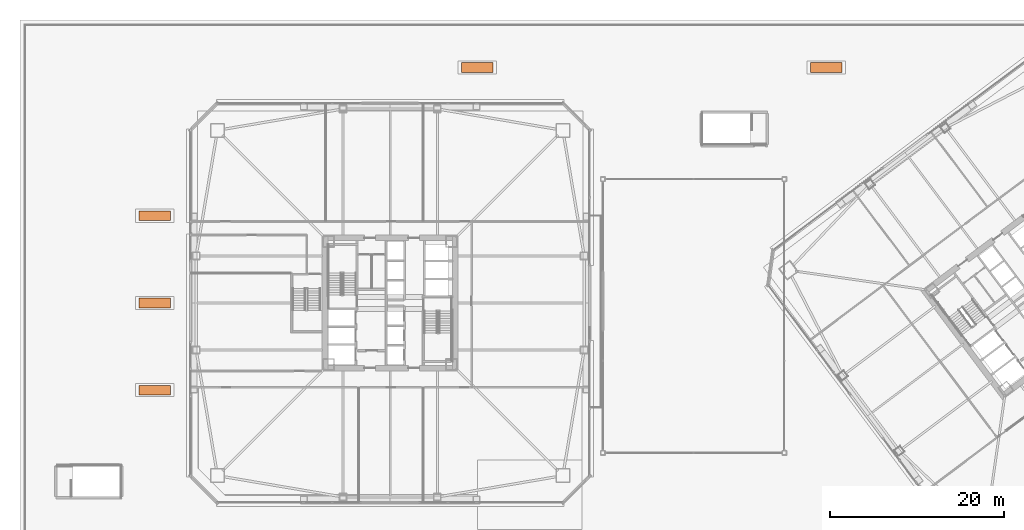
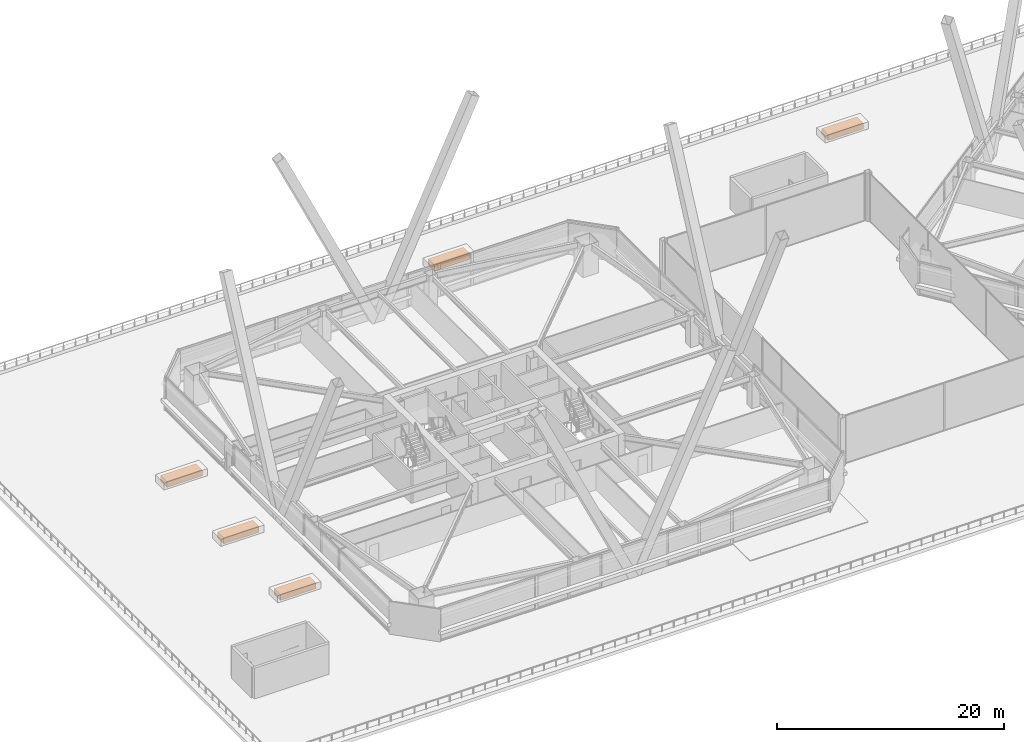
# One storey, part 83 of 83: 5 proxies.
"""IFC4 building model written with IfcOpenShell, lengths in metres."""

import ifcopenshell
import ifcopenshell.guid

model = None  # the IFC model being written
_history = None  # IfcOwnerHistory: only IFC2X3 demands one
_inside = {}  # id of a spatial element -> (the spatial element, [elements in it])
_under = {}  # id of a project, library or spatial element -> (it, [spatial elements below it])
_declared = {}  # id of a project -> (the project, [libraries it declares])
_typed = {}  # id of a type object -> (the type object, [elements of that type])
_made_of = {}  # id of a material, layer set ... -> (it, [elements and type objects made of it])


def new_model(schema):
    """Start an empty IFC model of exactly this schema.

    Asked for "IFC4X3", IfcOpenShell would pick the latest addendum, in which some entities
    have other attributes; the version numbers below select the first issue.
    IFC2X3 requires an IfcOwnerHistory on every rooted entity: one is made here for all.
    """
    global model, _history
    if schema == "IFC4X3":
        model = ifcopenshell.file(schema_version=(4, 3, 0, 0))
    else:
        model = ifcopenshell.file(schema=schema)
    _inside.clear()
    _under.clear()
    _declared.clear()
    _typed.clear()
    _made_of.clear()
    _history = None
    if model.schema == "IFC2X3":
        org = make("IfcOrganization", Name="unknown")
        user = make(
            "IfcPersonAndOrganization",
            ThePerson=make("IfcPerson", FamilyName="unknown"),
            TheOrganization=org,
        )
        app = make(
            "IfcApplication",
            ApplicationDeveloper=org,
            Version="unknown",
            ApplicationFullName="unknown",
            ApplicationIdentifier="unknown",
        )
        _history = make(
            "IfcOwnerHistory",
            OwningUser=user,
            OwningApplication=app,
            ChangeAction="ADDED",
            CreationDate=0,
        )
    return model


def make(cls, **values):
    """One entity of the class cls with the attributes given. An attribute that is None is left unset."""
    return model.create_entity(
        cls, **{name: value for name, value in values.items() if value is not None}
    )


def rooted(cls, **values):
    """An entity with a GlobalId (a new one), such as an element, a storey or a relation."""
    return make(cls, GlobalId=ifcopenshell.guid.new(), OwnerHistory=_history, **values)


def si_unit(unit_type, name, prefix=None):
    """IfcSIUnit, for example si_unit("LENGTHUNIT", "METRE", prefix="MILLI")."""
    return make("IfcSIUnit", UnitType=unit_type, Prefix=prefix, Name=name)


def assignment(units):
    """IfcUnitAssignment: the units of a project."""
    return None if units is None else make("IfcUnitAssignment", Units=units)


def point(xyz):
    """IfcCartesianPoint."""
    return None if xyz is None else make("IfcCartesianPoint", Coordinates=xyz)


def direction(xyz):
    """IfcDirection."""
    return None if xyz is None else make("IfcDirection", DirectionRatios=xyz)


def frame(location, z_axis=None, x_axis=None):
    """IfcAxis2Placement3D, a coordinate frame: its origin and axes. An axis left out is left unset."""
    return make(
        "IfcAxis2Placement3D",
        Location=point(location),
        Axis=direction(z_axis),
        RefDirection=direction(x_axis),
    )


def frame_2d(location, x_axis=None):
    """IfcAxis2Placement2D, a coordinate frame in the plane: its origin and x axis."""
    return make(
        "IfcAxis2Placement2D", Location=point(location), RefDirection=direction(x_axis)
    )


def origin():
    """The frame at (0, 0, 0) with its axes left unset."""
    return frame((0.0, 0.0, 0.0))


def origin_2d():
    """The frame at (0, 0) in the plane with its x axis left unset."""
    return frame_2d((0.0, 0.0))


def place(relative_to, where):
    """IfcLocalPlacement: puts the frame where relative to a parent placement (None: the world)."""
    return make(
        "IfcLocalPlacement", PlacementRelTo=relative_to, RelativePlacement=where
    )


def context(
    kind, dimensions, precision=None, world=None, true_north=None, identifier=None
):
    """IfcGeometricRepresentationContext, for example the 3D "Model" context."""
    return make(
        "IfcGeometricRepresentationContext",
        ContextIdentifier=identifier,
        ContextType=kind,
        CoordinateSpaceDimension=dimensions,
        Precision=precision,
        WorldCoordinateSystem=world,
        TrueNorth=true_north,
    )


def subcontext(parent, identifier, kind, view, scale=None):
    """IfcGeometricRepresentationSubContext, for example "Body" below "Model"."""
    return make(
        "IfcGeometricRepresentationSubContext",
        ContextIdentifier=identifier,
        ContextType=kind,
        ParentContext=parent,
        TargetScale=scale,
        TargetView=view,
    )


def project(units=None, contexts=None):
    """IfcProject with its units and contexts."""
    return rooted(
        "IfcProject",
        Name="project",
        RepresentationContexts=contexts,
        UnitsInContext=assignment(units),
    )


def spatial(cls, under=None, at=None, **own):
    """A site, building, storey or space (cls), placed at a placement, below another one or the project."""
    s = rooted(cls, ObjectPlacement=at, **own)
    if under is not None:
        _under.setdefault(under.id(), (under, []))[1].append(s)
    return s


def profile(cls, at=None, kind="AREA", **sizes):
    """A parametric profile (cls). Its sizes go by their IFC names, for example OverallWidth=200.0."""
    return make(cls, ProfileType=kind, Position=at, **sizes)


def rectangle(**sizes):
    """IfcRectangleProfileDef."""
    return profile("IfcRectangleProfileDef", **sizes)


def extrude(swept, where, along, depth):
    """IfcExtrudedAreaSolid: the profile swept, set in the frame where, extruded along a direction by depth."""
    return make(
        "IfcExtrudedAreaSolid",
        SweptArea=swept,
        Position=where,
        ExtrudedDirection=direction(along),
        Depth=depth,
    )


def shape(context_of_items, identifier, shape_type, items):
    """IfcShapeRepresentation: the items that make up one representation, for example the "Body"."""
    return make(
        "IfcShapeRepresentation",
        ContextOfItems=context_of_items,
        RepresentationIdentifier=identifier,
        RepresentationType=shape_type,
        Items=items,
    )


def material(Name=None, Category=None):
    """IfcMaterial."""
    return make("IfcMaterial", Name=Name, Category=Category)


def made_of(thing, what):
    """Note that an element or type object is made of a material, layer set ...; save() writes the relation."""
    if what is not None:
        _made_of.setdefault(what.id(), (what, []))[1].append(thing)
    return thing


def type_object(cls, material=None, **own):
    """A type object (cls), such as IfcWallType, which elements share."""
    return made_of(rooted(cls, **own), material)


def element(
    cls,
    number,
    at=None,
    inside=None,
    cuts=None,
    type_object=None,
    material=None,
    context=None,
    identifier="Body",
    shape_type=None,
    held_by="IfcProductDefinitionShape",
    body=None,
    shapes=None,
    **own,
):
    """One element of the class cls, such as IfcWall. Its Tag is "e" and its number.

    at: its placement. inside: the storey or other place that contains it. cuts: it is an
    opening in that element (IfcRelVoidsElement). A single representation is given by context,
    identifier, shape_type and body (its items); several are given by shapes. held_by: the class
    of the entity that holds the representations. save() writes the other relations.
    """
    e = rooted(cls, Tag="e%d" % number, ObjectPlacement=at, **own)
    if body is not None:
        shapes = [shape(context, identifier, shape_type, body)]
    if shapes is not None:
        e.Representation = make(held_by, Representations=shapes)
    if inside is not None:
        _inside.setdefault(inside.id(), (inside, []))[1].append(e)
    if cuts is not None:
        rooted(
            "IfcRelVoidsElement", RelatingBuildingElement=cuts, RelatedOpeningElement=e
        )
    if type_object is not None:
        _typed.setdefault(type_object.id(), (type_object, []))[1].append(e)
    return made_of(e, material)


def aggregate(whole, parts):
    """IfcRelAggregates: a whole, such as a stair, and the parts it consists of."""
    return rooted("IfcRelAggregates", RelatingObject=whole, RelatedObjects=parts)


def save(model, path):
    """Write the relations noted so far, then the file.

    IfcRelAggregates (storeys below a building ...), IfcRelContainedInSpatialStructure (elements
    in a storey), IfcRelDefinesByType, IfcRelAssociatesMaterial and IfcRelDeclares: one each for
    every whole, place, type object, material and project.
    """
    for whole, parts in _under.values():
        aggregate(whole, parts)
    for where, things in _inside.values():
        rooted(
            "IfcRelContainedInSpatialStructure",
            RelatedElements=things,
            RelatingStructure=where,
        )
    for kind, things in _typed.values():
        rooted("IfcRelDefinesByType", RelatedObjects=things, RelatingType=kind)
    for what, things in _made_of.values():
        rooted("IfcRelAssociatesMaterial", RelatedObjects=things, RelatingMaterial=what)
    for by, libraries in _declared.values():
        rooted("IfcRelDeclares", RelatingContext=by, RelatedDefinitions=libraries)
    model.write(path)


model = new_model("IFC4")

# Units and contexts
model_context = context("Model", 3, precision=1e-05, world=origin(), true_north=direction((0.0, 1.0)))
body_context = subcontext(model_context, "Body", "Model", "MODEL_VIEW")
ifc_project = project(units=[si_unit("LENGTHUNIT", "METRE"), si_unit("AREAUNIT", "SQUARE_METRE"), si_unit("VOLUMEUNIT", "CUBIC_METRE"), si_unit("PLANEANGLEUNIT", "RADIAN"), si_unit("MASSUNIT", "GRAM", prefix="KILO")], contexts=[model_context])

# Site, building, storey
site_placement = place(None, origin())
site = spatial("IfcSite", under=ifc_project, at=site_placement, CompositionType="ELEMENT")
building_placement = place(site_placement, origin())
building = spatial("IfcBuilding", under=site, at=building_placement, Name="Tashvorn Skyway Center", CompositionType="ELEMENT")
storey_placement = place(building_placement, frame((0.0, 0.0, 24.60009765625)))
storey = spatial("IfcBuildingStorey", under=building, at=storey_placement, Name="L05", CompositionType="ELEMENT", Elevation=24.60009765625)

# Proxies
ifc_material = material(Name="Engineered Mojave xeriscape planter concrete C40/50", Category="concrete")
building_element_proxy_type = type_object("IfcBuildingElementProxyType", Name="FURN-PLANTER", PredefinedType="USERDEFINED", material=ifc_material)
for number, where, z_axis, x_axis, name in (
    (1, (15.0, 22.0, 0.0), (0.0, 0.0, 1.0), (1.0, 0.0, 0.0), "L05 Podium Roof Garden Xeriscape PLANTER 1"),
    (2, (15.0, 32.0, 0.0), (0.0, 0.0, 1.0), (1.0, 0.0, 0.0), "L05 Podium Roof Garden Xeriscape PLANTER 2"),
    (3, (15.0, 42.0, 0.0), (0.0, 0.0, 1.0), (1.0, 0.0, 0.0), "L05 Podium Roof Garden Xeriscape PLANTER 3"),
    (4, (52.0, 59.0, 0.0), (0.0, 0.0, 1.0), (1.0, 0.0, 0.0), "L05 Podium Roof Garden Xeriscape PLANTER 4"),
    (5, (92.0, 59.0, 0.0), (0.0, 0.0, 1.0), (1.0, 0.0, 0.0), "L05 Podium Roof Garden Xeriscape PLANTER 5"),
):
    element("IfcBuildingElementProxy", number, at=place(storey_placement, frame(where, z_axis=z_axis, x_axis=x_axis)), inside=storey, type_object=building_element_proxy_type, Name=name, ObjectType="PLANTER", PredefinedType="USERDEFINED", context=body_context, shape_type="SweptSolid", body=[
        extrude(rectangle(XDim=3.60009765625, YDim=1.10009765625, at=origin_2d()), origin(), (0.0, 0.0, 1.0), 0.64990234375),
    ])

save(model, "model.ifc")
